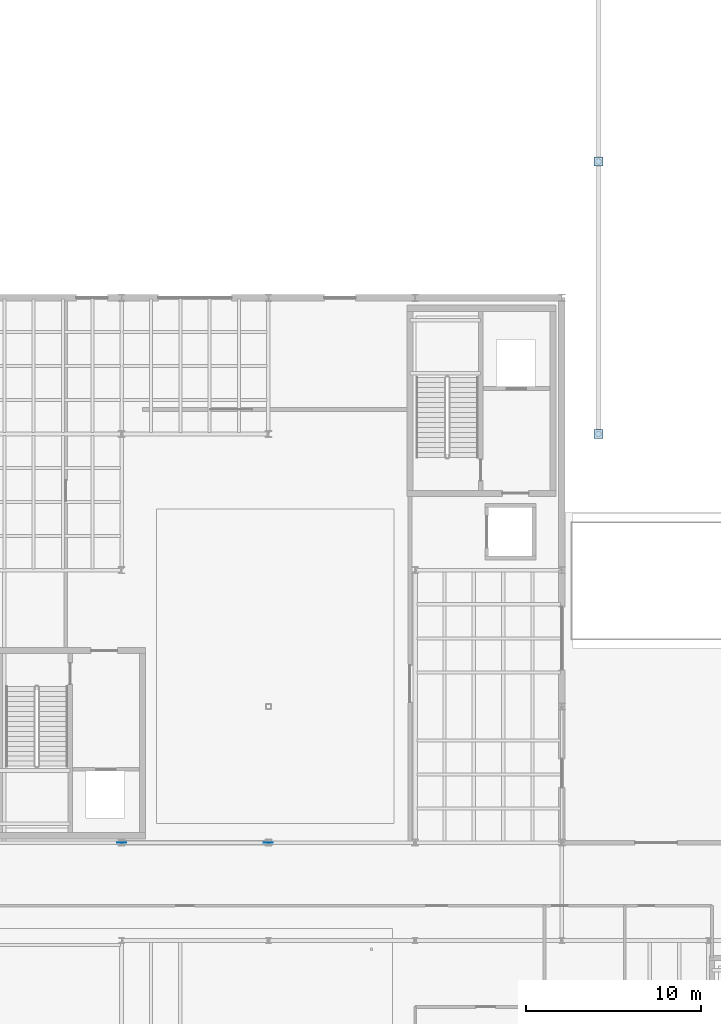
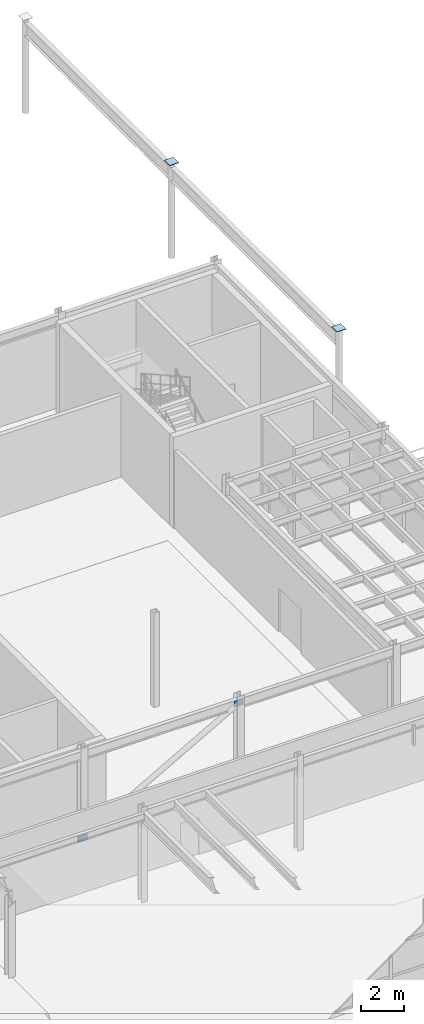
# One storey, part 61 of 87: 4 plates.
"""IFC4 building model written with IfcOpenShell, lengths in metres."""

from ifc_helpers import new_model, si_unit, direction, frame, origin, origin_2d, place, context, subcontext, project, spatial, rectangle, extrude, material, layer, layer_set, type_object, element, save


model = new_model("IFC4")

# Units and contexts
model_context = context("Model", 3, precision=1e-05, world=origin(), true_north=direction((0.0, 1.0)))
body_context = subcontext(model_context, "Body", "Model", "MODEL_VIEW")
ifc_project = project(units=[si_unit("LENGTHUNIT", "METRE"), si_unit("AREAUNIT", "SQUARE_METRE"), si_unit("VOLUMEUNIT", "CUBIC_METRE"), si_unit("PLANEANGLEUNIT", "RADIAN"), si_unit("MASSUNIT", "GRAM", prefix="KILO")], contexts=[model_context])

# Site, building, storey
site_placement = place(None, origin())
site = spatial("IfcSite", under=ifc_project, at=site_placement, CompositionType="ELEMENT")
building_placement = place(site_placement, origin())
building = spatial("IfcBuilding", under=site, at=building_placement, Name="Selat Folded Stagehouse", CompositionType="ELEMENT")
storey_placement = place(building_placement, origin())
storey = spatial("IfcBuildingStorey", under=building, at=storey_placement, Name="L00", CompositionType="ELEMENT", Elevation=0.0)

# Plates
ifc_material = material(Name="Steel S355", Category="steel")
ifc_layer_1 = layer(ifc_material, 0.02490234375)
ifc_layer_set_1 = layer_set([ifc_layer_1], Name="Steel S355")
plate_type_1 = type_object("IfcPlateType", Name="PLT-BASE-500x500x25", PredefinedType="USERDEFINED", material=ifc_layer_set_1)
for number, where, z_axis, x_axis, name in (
    (1, (69.300048828125, 46.800048828125, 5.400146484375), (0.0, 0.0, 1.0), (1.0, 0.0, 0.0), "Hollow column end cap plate STK-BR1-468"),
    (2, (69.300048828125, 62.39990234375, 5.400146484375), (0.0, 0.0, 1.0), (1.0, 0.0, 0.0), "Hollow column end cap plate STK-BR1-624"),
):
    element("IfcPlate", number, at=place(storey_placement, frame(where, z_axis=z_axis, x_axis=x_axis)), inside=storey, type_object=plate_type_1, Name=name, ObjectType="BASE_PLATE", PredefinedType="USERDEFINED", context=body_context, shape_type="SweptSolid", body=[
        extrude(rectangle(XDim=0.5, YDim=0.5, at=origin_2d()), origin(), (0.0, 0.0, 1.0), 0.02490234375),
    ])
ifc_layer_2 = layer(ifc_material, 0.01806640625)
ifc_layer_set_2 = layer_set([ifc_layer_2], Name="Steel S355")
plate_type_2 = type_object("IfcPlateType", Name="PLT-GUSSET-520x360x18", PredefinedType="USERDEFINED", material=ifc_layer_set_2)
for number, where, z_axis, x_axis, name in (
    (3, (42.0, 23.39990234375, -0.0302734375), (0.0, 0.0, 1.0), (1.0, 0.0, 0.0), "L00 VBR-01 end gusset plate 49"),
    (4, (50.39990234375, 23.39990234375, 4.7197265625), (0.0, 0.0, 1.0), (1.0, 0.0, 0.0), "L00 VBR-01 end gusset plate 50"),
):
    element("IfcPlate", number, at=place(storey_placement, frame(where, z_axis=z_axis, x_axis=x_axis)), inside=storey, type_object=plate_type_2, Name=name, ObjectType="GUSSET_PLATE", PredefinedType="USERDEFINED", context=body_context, shape_type="SweptSolid", body=[
        extrude(rectangle(XDim=0.52001953125, YDim=0.01806640625, at=origin_2d()), origin(), (0.0, 0.0, 1.0), 0.360107421875),
    ])

save(model, "model.ifc")
